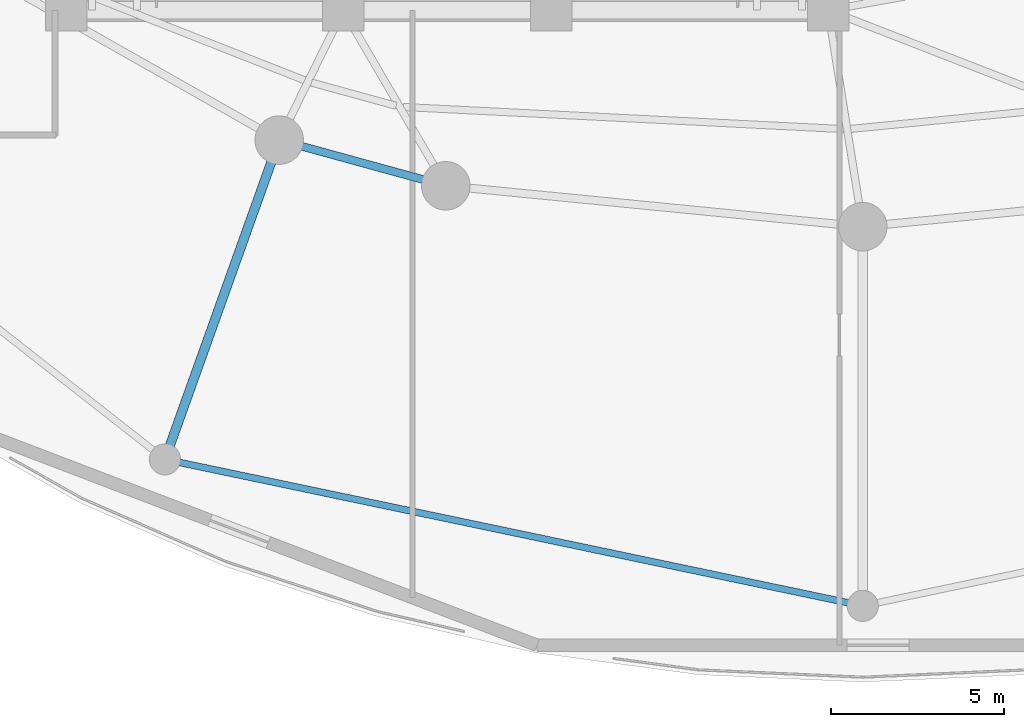
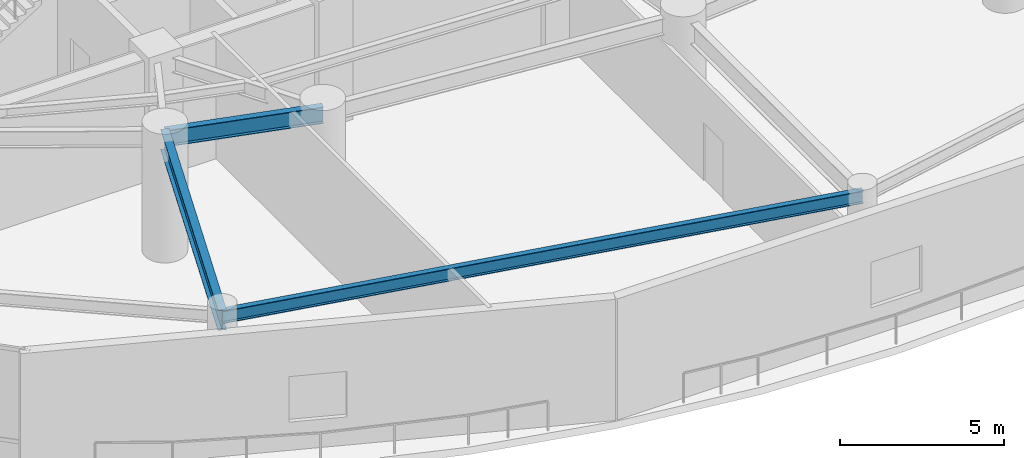
# One storey, part 3 of 40: 3 beams.
"""IFC4 building model written with IfcOpenShell, lengths in metres."""

import ifcopenshell
import ifcopenshell.guid

model = None  # the IFC model being written
_history = None  # IfcOwnerHistory: only IFC2X3 demands one
_inside = {}  # id of a spatial element -> (the spatial element, [elements in it])
_under = {}  # id of a project, library or spatial element -> (it, [spatial elements below it])
_declared = {}  # id of a project -> (the project, [libraries it declares])
_typed = {}  # id of a type object -> (the type object, [elements of that type])
_made_of = {}  # id of a material, layer set ... -> (it, [elements and type objects made of it])


def new_model(schema):
    """Start an empty IFC model of exactly this schema.

    Asked for "IFC4X3", IfcOpenShell would pick the latest addendum, in which some entities
    have other attributes; the version numbers below select the first issue.
    IFC2X3 requires an IfcOwnerHistory on every rooted entity: one is made here for all.
    """
    global model, _history
    if schema == "IFC4X3":
        model = ifcopenshell.file(schema_version=(4, 3, 0, 0))
    else:
        model = ifcopenshell.file(schema=schema)
    _inside.clear()
    _under.clear()
    _declared.clear()
    _typed.clear()
    _made_of.clear()
    _history = None
    if model.schema == "IFC2X3":
        org = make("IfcOrganization", Name="unknown")
        user = make(
            "IfcPersonAndOrganization",
            ThePerson=make("IfcPerson", FamilyName="unknown"),
            TheOrganization=org,
        )
        app = make(
            "IfcApplication",
            ApplicationDeveloper=org,
            Version="unknown",
            ApplicationFullName="unknown",
            ApplicationIdentifier="unknown",
        )
        _history = make(
            "IfcOwnerHistory",
            OwningUser=user,
            OwningApplication=app,
            ChangeAction="ADDED",
            CreationDate=0,
        )
    return model


def make(cls, **values):
    """One entity of the class cls with the attributes given. An attribute that is None is left unset."""
    return model.create_entity(
        cls, **{name: value for name, value in values.items() if value is not None}
    )


def rooted(cls, **values):
    """An entity with a GlobalId (a new one), such as an element, a storey or a relation."""
    return make(cls, GlobalId=ifcopenshell.guid.new(), OwnerHistory=_history, **values)


def si_unit(unit_type, name, prefix=None):
    """IfcSIUnit, for example si_unit("LENGTHUNIT", "METRE", prefix="MILLI")."""
    return make("IfcSIUnit", UnitType=unit_type, Prefix=prefix, Name=name)


def assignment(units):
    """IfcUnitAssignment: the units of a project."""
    return None if units is None else make("IfcUnitAssignment", Units=units)


def point(xyz):
    """IfcCartesianPoint."""
    return None if xyz is None else make("IfcCartesianPoint", Coordinates=xyz)


def direction(xyz):
    """IfcDirection."""
    return None if xyz is None else make("IfcDirection", DirectionRatios=xyz)


def frame(location, z_axis=None, x_axis=None):
    """IfcAxis2Placement3D, a coordinate frame: its origin and axes. An axis left out is left unset."""
    return make(
        "IfcAxis2Placement3D",
        Location=point(location),
        Axis=direction(z_axis),
        RefDirection=direction(x_axis),
    )


def frame_2d(location, x_axis=None):
    """IfcAxis2Placement2D, a coordinate frame in the plane: its origin and x axis."""
    return make(
        "IfcAxis2Placement2D", Location=point(location), RefDirection=direction(x_axis)
    )


def origin():
    """The frame at (0, 0, 0) with its axes left unset."""
    return frame((0.0, 0.0, 0.0))


def origin_2d():
    """The frame at (0, 0) in the plane with its x axis left unset."""
    return frame_2d((0.0, 0.0))


def place(relative_to, where):
    """IfcLocalPlacement: puts the frame where relative to a parent placement (None: the world)."""
    return make(
        "IfcLocalPlacement", PlacementRelTo=relative_to, RelativePlacement=where
    )


def context(
    kind, dimensions, precision=None, world=None, true_north=None, identifier=None
):
    """IfcGeometricRepresentationContext, for example the 3D "Model" context."""
    return make(
        "IfcGeometricRepresentationContext",
        ContextIdentifier=identifier,
        ContextType=kind,
        CoordinateSpaceDimension=dimensions,
        Precision=precision,
        WorldCoordinateSystem=world,
        TrueNorth=true_north,
    )


def subcontext(parent, identifier, kind, view, scale=None):
    """IfcGeometricRepresentationSubContext, for example "Body" below "Model"."""
    return make(
        "IfcGeometricRepresentationSubContext",
        ContextIdentifier=identifier,
        ContextType=kind,
        ParentContext=parent,
        TargetScale=scale,
        TargetView=view,
    )


def project(units=None, contexts=None):
    """IfcProject with its units and contexts."""
    return rooted(
        "IfcProject",
        Name="project",
        RepresentationContexts=contexts,
        UnitsInContext=assignment(units),
    )


def spatial(cls, under=None, at=None, **own):
    """A site, building, storey or space (cls), placed at a placement, below another one or the project."""
    s = rooted(cls, ObjectPlacement=at, **own)
    if under is not None:
        _under.setdefault(under.id(), (under, []))[1].append(s)
    return s


def profile(cls, at=None, kind="AREA", **sizes):
    """A parametric profile (cls). Its sizes go by their IFC names, for example OverallWidth=200.0."""
    return make(cls, ProfileType=kind, Position=at, **sizes)


def i_section(**sizes):
    """IfcIShapeProfileDef."""
    return profile("IfcIShapeProfileDef", **sizes)


def extrude(swept, where, along, depth):
    """IfcExtrudedAreaSolid: the profile swept, set in the frame where, extruded along a direction by depth."""
    return make(
        "IfcExtrudedAreaSolid",
        SweptArea=swept,
        Position=where,
        ExtrudedDirection=direction(along),
        Depth=depth,
    )


def shape(context_of_items, identifier, shape_type, items):
    """IfcShapeRepresentation: the items that make up one representation, for example the "Body"."""
    return make(
        "IfcShapeRepresentation",
        ContextOfItems=context_of_items,
        RepresentationIdentifier=identifier,
        RepresentationType=shape_type,
        Items=items,
    )


def material(Name=None, Category=None):
    """IfcMaterial."""
    return make("IfcMaterial", Name=Name, Category=Category)


def material_profile(
    of_material, cross_section, Name=None, Category=None, Priority=None
):
    """IfcMaterialProfile: a cross section and its material."""
    return make(
        "IfcMaterialProfile",
        Name=Name,
        Material=of_material,
        Profile=cross_section,
        Priority=Priority,
        Category=Category,
    )


def profile_set(profiles, Name=None, composite=None):
    """IfcMaterialProfileSet."""
    return make(
        "IfcMaterialProfileSet",
        Name=Name,
        MaterialProfiles=profiles,
        CompositeProfile=composite,
    )


def made_of(thing, what):
    """Note that an element or type object is made of a material, layer set ...; save() writes the relation."""
    if what is not None:
        _made_of.setdefault(what.id(), (what, []))[1].append(thing)
    return thing


def type_object(cls, material=None, **own):
    """A type object (cls), such as IfcWallType, which elements share."""
    return made_of(rooted(cls, **own), material)


def element(
    cls,
    number,
    at=None,
    inside=None,
    cuts=None,
    type_object=None,
    material=None,
    context=None,
    identifier="Body",
    shape_type=None,
    held_by="IfcProductDefinitionShape",
    body=None,
    shapes=None,
    **own,
):
    """One element of the class cls, such as IfcWall. Its Tag is "e" and its number.

    at: its placement. inside: the storey or other place that contains it. cuts: it is an
    opening in that element (IfcRelVoidsElement). A single representation is given by context,
    identifier, shape_type and body (its items); several are given by shapes. held_by: the class
    of the entity that holds the representations. save() writes the other relations.
    """
    e = rooted(cls, Tag="e%d" % number, ObjectPlacement=at, **own)
    if body is not None:
        shapes = [shape(context, identifier, shape_type, body)]
    if shapes is not None:
        e.Representation = make(held_by, Representations=shapes)
    if inside is not None:
        _inside.setdefault(inside.id(), (inside, []))[1].append(e)
    if cuts is not None:
        rooted(
            "IfcRelVoidsElement", RelatingBuildingElement=cuts, RelatedOpeningElement=e
        )
    if type_object is not None:
        _typed.setdefault(type_object.id(), (type_object, []))[1].append(e)
    return made_of(e, material)


def aggregate(whole, parts):
    """IfcRelAggregates: a whole, such as a stair, and the parts it consists of."""
    return rooted("IfcRelAggregates", RelatingObject=whole, RelatedObjects=parts)


def save(model, path):
    """Write the relations noted so far, then the file.

    IfcRelAggregates (storeys below a building ...), IfcRelContainedInSpatialStructure (elements
    in a storey), IfcRelDefinesByType, IfcRelAssociatesMaterial and IfcRelDeclares: one each for
    every whole, place, type object, material and project.
    """
    for whole, parts in _under.values():
        aggregate(whole, parts)
    for where, things in _inside.values():
        rooted(
            "IfcRelContainedInSpatialStructure",
            RelatedElements=things,
            RelatingStructure=where,
        )
    for kind, things in _typed.values():
        rooted("IfcRelDefinesByType", RelatedObjects=things, RelatingType=kind)
    for what, things in _made_of.values():
        rooted("IfcRelAssociatesMaterial", RelatedObjects=things, RelatingMaterial=what)
    for by, libraries in _declared.values():
        rooted("IfcRelDeclares", RelatingContext=by, RelatedDefinitions=libraries)
    model.write(path)


model = new_model("IFC4")

# Units and contexts
model_context = context("Model", 3, precision=1e-05, world=origin(), true_north=direction((0.0, 1.0)))
body_context = subcontext(model_context, "Body", "Model", "MODEL_VIEW")
ifc_project = project(units=[si_unit("LENGTHUNIT", "METRE"), si_unit("AREAUNIT", "SQUARE_METRE"), si_unit("VOLUMEUNIT", "CUBIC_METRE"), si_unit("PLANEANGLEUNIT", "RADIAN"), si_unit("MASSUNIT", "GRAM", prefix="KILO")], contexts=[model_context])

# Site, building, storey
site_placement = place(None, origin())
site = spatial("IfcSite", under=ifc_project, at=site_placement, CompositionType="ELEMENT")
building_placement = place(site_placement, origin())
building = spatial("IfcBuilding", under=site, at=building_placement, Name="Kazevale Care Tower and Concert Hall", CompositionType="ELEMENT")
storey_placement = place(building_placement, frame((0.0, 0.0, 9.60009765625)))
storey = spatial("IfcBuildingStorey", under=building, at=storey_placement, Name="L02", CompositionType="ELEMENT", Elevation=9.60009765625)

# Beams
ifc_material = material(Name="Steel ASTM A572 Gr 50", Category="steel")
ifc_material_profile_1 = material_profile(ifc_material, i_section(OverallWidth=0.194091796875, OverallDepth=0.468994140625, WebThickness=0.0126953125, FlangeThickness=0.0205078125, at=origin_2d()), Name="W460x106")
ifc_profile_set_1 = profile_set([ifc_material_profile_1], Name="Steel ASTM A572 Gr 50")
beam_type_1 = type_object("IfcBeamType", Name="Podium Floor Beam W460x106", PredefinedType="BEAM", material=ifc_profile_set_1)
beam_1_placement = place(storey_placement, frame((24.85009765625, 10.6298828125, 4.285400390625), z_axis=(0.978668137727, -0.205447502293, 0.0), x_axis=(0.205447502293, 0.978668137727, 0.0)))
element("IfcBeam", 1, at=beam_1_placement, inside=storey, type_object=beam_type_1, Name="beam:L02:podring:09", PredefinedType="BEAM", context=body_context, shape_type="SweptSolid", body=[
    extrude(i_section(OverallWidth=0.194091796875, OverallDepth=0.468994140625, WebThickness=0.0126953125, FlangeThickness=0.0205078125, at=origin_2d()), origin(), (0.0, 0.0, 1.0), 20.589111328125),
])
ifc_material_profile_2 = material_profile(ifc_material, i_section(OverallWidth=0.26806640625, OverallDepth=0.77001953125, WebThickness=0.015625, FlangeThickness=0.025390625, at=origin_2d()), Name="W760x196")
ifc_profile_set_2 = profile_set([ifc_material_profile_2], Name="Steel ASTM A572 Gr 50")
beam_type_2 = type_object("IfcBeamType", Name="Podium Primary Girder W760x196", PredefinedType="BEAM", material=ifc_profile_set_2)
beam_2_placement = place(storey_placement, frame((28.14990234375, 19.85009765625, 4.135009765625), z_axis=(-0.336958566987, -0.941519476237, 0.0), x_axis=(0.941519476237, -0.336958566987, 0.0)))
element("IfcBeam", 2, at=beam_2_placement, inside=storey, type_object=beam_type_2, Name="beam:L02:podrad:09", PredefinedType="BEAM", context=body_context, shape_type="SweptSolid", body=[
    extrude(i_section(OverallWidth=0.26806640625, OverallDepth=0.77001953125, WebThickness=0.015625, FlangeThickness=0.025390625, at=origin_2d()), origin(), (0.0, 0.0, 1.0), 9.79296875),
])
ifc_material_profile_3 = material_profile(ifc_material, i_section(OverallWidth=0.22900390625, OverallDepth=0.612060546875, WebThickness=0.011962890625, FlangeThickness=0.01953125, at=origin_2d()), Name="W610x125")
ifc_profile_set_3 = profile_set([ifc_material_profile_3], Name="Steel ASTM A572 Gr 50")
beam_type_3 = type_object("IfcBeamType", Name="Ring Spandrel Beam W610x125", PredefinedType="SPANDREL", material=ifc_profile_set_3)
beam_3_placement = place(storey_placement, frame((28.14990234375, 19.85009765625, 4.2138671875), z_axis=(0.964343540473, -0.264653615031, 0.0), x_axis=(0.264653615031, 0.964343540473, 0.0)))
element("IfcBeam", 3, at=beam_3_placement, inside=storey, type_object=beam_type_3, Name="beam:L02:ring:11", PredefinedType="SPANDREL", context=body_context, shape_type="SweptSolid", body=[
    extrude(i_section(OverallWidth=0.22900390625, OverallDepth=0.612060546875, WebThickness=0.011962890625, FlangeThickness=0.01953125, at=origin_2d()), origin(), (0.0, 0.0, 1.0), 4.98779296875),
])

save(model, "model.ifc")
